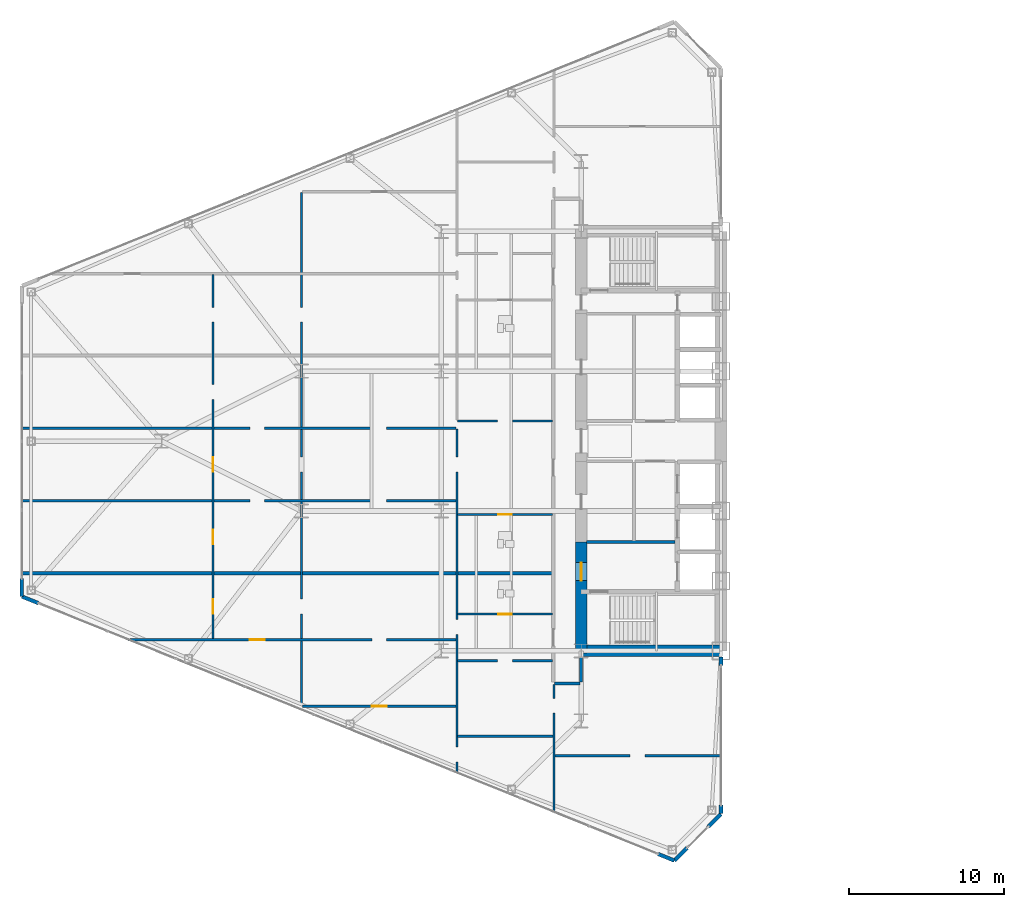
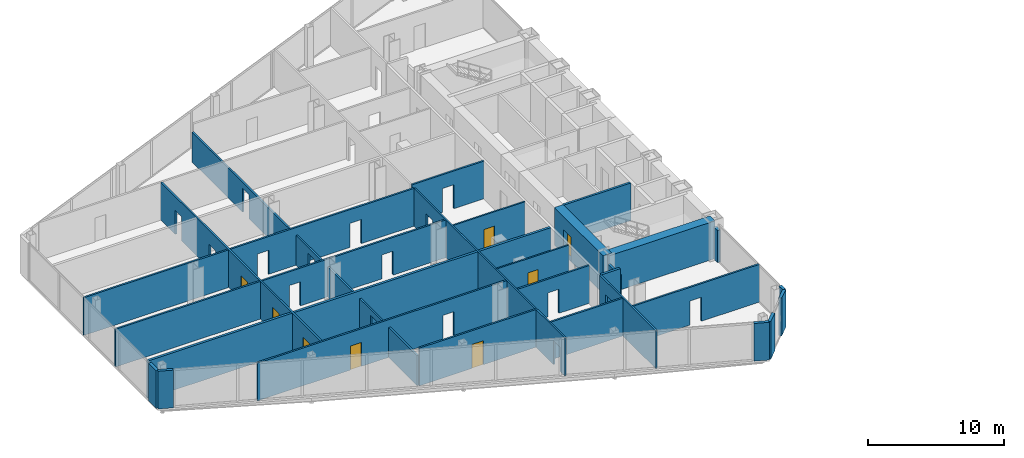
# One storey, part 17 of 25: 27 walls, 8 doors, 25 openings.
"""IFC4 building model written with IfcOpenShell, lengths in metres."""

from ifc_helpers import new_model, si_unit, direction, frame, frame_2d, origin, place, context, subcontext, project, spatial, rectangle, extrude, source, transform, mapped, material, layer, layer_set, type_object, type_shapes, element, fill, save


model = new_model("IFC4")

# Units and contexts
model_context = context("Model", 3, precision=1e-05, world=origin(), true_north=direction((0.0, 1.0)))
body_context = subcontext(model_context, "Body", "Model", "MODEL_VIEW")
ifc_project = project(units=[si_unit("LENGTHUNIT", "METRE"), si_unit("AREAUNIT", "SQUARE_METRE"), si_unit("VOLUMEUNIT", "CUBIC_METRE"), si_unit("PLANEANGLEUNIT", "RADIAN"), si_unit("MASSUNIT", "GRAM", prefix="KILO")], contexts=[model_context])

# Site, building, storey
site_placement = place(None, origin())
site = spatial("IfcSite", under=ifc_project, at=site_placement, CompositionType="ELEMENT")
building_placement = place(site_placement, origin())
building = spatial("IfcBuilding", under=site, at=building_placement, Name="Seokmaru Belvedere", CompositionType="ELEMENT")
storey_placement = place(building_placement, frame((0.0, 0.0, 44.10009765625)))
storey = spatial("IfcBuildingStorey", under=building, at=storey_placement, Name="L11", CompositionType="ELEMENT", Elevation=44.10009765625)

# Wall, opening
ifc_material_1 = material(Name="Fire-Rated Gypsum Shaftwall")
ifc_layer_1 = layer(ifc_material_1, 0.14990234375)
ifc_layer_set_1 = layer_set([ifc_layer_1], Name="Fire-Rated Gypsum Shaftwall")
wall_type_1 = type_object("IfcWallType", Name="Apartment Fire-Acoustic Room Partition 150", PredefinedType="PARTITIONING", material=ifc_layer_set_1)
wall_1_placement = place(storey_placement, frame((-38.199951171875, -20.25, 0.0), z_axis=(0.0, 0.0, 1.0), x_axis=(1.0, 0.0, 0.0)))
wall_1 = element("IfcWall", 1, at=wall_1_placement, inside=storey, type_object=wall_type_1, Name="L11 Interior Partition 001", PredefinedType="PARTITIONING", context=body_context, shape_type="SweptSolid", body=[
    extrude(rectangle(XDim=10.73486328125, YDim=0.14990234375, at=frame_2d((5.367431640625, 0.0))), origin(), (0.0, 0.0, 1.0), 3.3798828125),
])
opening_1_placement = place(wall_1_placement, frame((4.85009765625, 0.0, 0.0)))
element("IfcOpeningElement", 2, at=opening_1_placement, cuts=wall_1, Name="L11 Cased Opening 012", PredefinedType="OPENING", context=body_context, shape_type="SweptSolid", body=[
    extrude(rectangle(XDim=0.949951171875, YDim=2.14990234375, at=frame_2d((0.47509765625, 1.074951171875))), frame((0.0, 0.0849609375, 0.0), z_axis=(0.0, -1.0, 0.0), x_axis=(1.0, 0.0, 0.0)), (0.0, 0.0, 1.0), 0.169921875),
])

# Wall
wall_2_placement = place(storey_placement, frame((-44.449951171875, -19.0, 0.0), z_axis=(0.0, 0.0, 1.0), x_axis=(1.0, 0.0, 0.0)))
element("IfcWall", 3, at=wall_2_placement, inside=storey, type_object=wall_type_1, Name="L11 Interior Partition 002", PredefinedType="PARTITIONING", context=body_context, shape_type="SweptSolid", body=[
    extrude(rectangle(XDim=6.14990234375, YDim=0.14990234375, at=frame_2d((3.074951171875, 0.0))), origin(), (0.0, 0.0, 1.0), 3.3798828125),
])

# Wall, opening, door
wall_3_placement = place(storey_placement, frame((-54.449951171875, -17.06005859375, 0.0), z_axis=(0.0, 0.0, 1.0), x_axis=(1.0, 0.0, 0.0)))
wall_3 = element("IfcWall", 4, at=wall_3_placement, inside=storey, type_object=wall_type_1, Name="L11 Interior Partition 003", PredefinedType="PARTITIONING", context=body_context, shape_type="SweptSolid", body=[
    extrude(rectangle(XDim=9.89990234375, YDim=0.14990234375, at=frame_2d((4.949951171875, 0.0))), origin(), (0.0, 0.0, 1.0), 3.3798828125),
])
opening_2_placement = place(wall_3_placement, frame((4.47509765625, 0.0, 0.0)))
opening_2 = element("IfcOpeningElement", 5, at=opening_2_placement, cuts=wall_3, Name="Opening D05", PredefinedType="OPENING", context=body_context, shape_type="SweptSolid", body=[
    extrude(rectangle(XDim=0.949951171875, YDim=2.14990234375, at=frame_2d((0.47509765625, 1.074951171875))), frame((0.0, 0.0849609375, 0.0), z_axis=(0.0, -1.0, 0.0), x_axis=(1.0, 0.0, 0.0)), (0.0, 0.0, 1.0), 0.169921875),
])
ifc_material_2 = material(Name="Engineered White Oak Timber", Category="wood")
door_type_1 = type_object("IfcDoorType", Name="Apartment Interior Fire-Rated Oak Door 950x2150", OperationType="NOTDEFINED", PredefinedType="DOOR", material=ifc_material_2)
shared_shape_1 = source(origin(), body_context, "Body", "SweptSolid", [
    extrude(rectangle(XDim=0.949951171875, YDim=2.14990234375, at=frame_2d((0.47509765625, 1.074951171875))), frame((0.0, 0.02490234375, 0.0), z_axis=(0.0, -1.0, 0.0), x_axis=(1.0, 0.0, 0.0)), (0.0, 0.0, 1.0), 0.050048828125),
])
type_shapes(door_type_1, [shared_shape_1])
door_1_placement = place(opening_2_placement, origin())
door_1 = element("IfcDoor", 6, at=door_1_placement, inside=storey, type_object=door_type_1, Name="L11 Interior Door 009", OperationType="SINGLE_SWING_RIGHT", OverallHeight=2.14990234375, OverallWidth=0.949951171875, PredefinedType="DOOR", context=body_context, shape_type="MappedRepresentation", body=[
    mapped(shared_shape_1, transform((0.0, 0.0, 0.0), scale=1.0)),
])
fill(opening_2, door_1)

# Wall, opening
wall_4_placement = place(storey_placement, frame((-44.449951171875, -14.139892578125, 0.0), z_axis=(0.0, 0.0, 1.0), x_axis=(1.0, 0.0, 0.0)))
wall_4 = element("IfcWall", 7, at=wall_4_placement, inside=storey, type_object=wall_type_1, Name="L11 Interior Partition 006", PredefinedType="PARTITIONING", context=body_context, shape_type="SweptSolid", body=[
    extrude(rectangle(XDim=6.099853515625, YDim=0.14990234375, at=frame_2d((3.0498046875, 0.0))), origin(), (0.0, 0.0, 1.0), 3.3798828125),
])
opening_3_placement = place(wall_4_placement, frame((2.574951171875, 0.0, 0.0)))
element("IfcOpeningElement", 8, at=opening_3_placement, cuts=wall_4, Name="L11 Cased Opening 003", PredefinedType="OPENING", context=body_context, shape_type="SweptSolid", body=[
    extrude(rectangle(XDim=0.949951171875, YDim=2.14990234375, at=frame_2d((0.47509765625, 1.074951171875))), frame((0.0, 0.0849609375, 0.0), z_axis=(0.0, -1.0, 0.0), x_axis=(1.0, 0.0, 0.0)), (0.0, 0.0, 1.0), 0.169921875),
])

# Wall, openings, door
wall_5_placement = place(storey_placement, frame((-65.672119140625, -12.780029296875, 0.0), z_axis=(0.0, 0.0, 1.0), x_axis=(1.0, 0.0, 0.0)))
wall_5 = element("IfcWall", 9, at=wall_5_placement, inside=storey, type_object=wall_type_1, Name="L11 Interior Partition 007", PredefinedType="PARTITIONING", context=body_context, shape_type="SweptSolid", body=[
    extrude(rectangle(XDim=21.1220703125, YDim=0.14990234375, at=frame_2d((10.56103515625, 0.0))), origin(), (0.0, 0.0, 1.0), 3.3798828125),
])
opening_4_placement = place(wall_5_placement, frame((15.697021484375, 0.0, 0.0)))
element("IfcOpeningElement", 10, at=opening_4_placement, cuts=wall_5, Name="L11 Cased Opening 006", PredefinedType="OPENING", context=body_context, shape_type="SweptSolid", body=[
    extrude(rectangle(XDim=0.949951171875, YDim=2.14990234375, at=frame_2d((0.47509765625, 1.074951171875))), frame((0.0, 0.0849609375, 0.0), z_axis=(0.0, -1.0, 0.0), x_axis=(1.0, 0.0, 0.0)), (0.0, 0.0, 1.0), 0.169921875),
])
opening_5_placement = place(wall_5_placement, frame((7.846923828125, 0.0, 0.0)))
opening_5 = element("IfcOpeningElement", 11, at=opening_5_placement, cuts=wall_5, Name="Opening D05", PredefinedType="OPENING", context=body_context, shape_type="SweptSolid", body=[
    extrude(rectangle(XDim=0.949951171875, YDim=2.14990234375, at=frame_2d((0.47509765625, 1.074951171875))), frame((0.0, 0.0849609375, 0.0), z_axis=(0.0, -1.0, 0.0), x_axis=(1.0, 0.0, 0.0)), (0.0, 0.0, 1.0), 0.169921875),
])
door_2_placement = place(opening_5_placement, origin())
door_2 = element("IfcDoor", 12, at=door_2_placement, inside=storey, type_object=door_type_1, Name="L11 Interior Door 007", OperationType="SINGLE_SWING_LEFT", OverallHeight=2.14990234375, OverallWidth=0.949951171875, PredefinedType="DOOR", context=body_context, shape_type="MappedRepresentation", body=[
    mapped(shared_shape_1, transform((0.0, 0.0, 0.0), scale=1.0)),
])
fill(opening_5, door_2)

# Wall, openings
wall_6_placement = place(storey_placement, frame((-72.534912109375, -3.830078125, 0.0), z_axis=(0.0, 0.0, 1.0), x_axis=(1.0, 0.0, 0.0)))
wall_6 = element("IfcWall", 13, at=wall_6_placement, inside=storey, type_object=wall_type_1, Name="L11 Interior Partition 014", PredefinedType="PARTITIONING", context=body_context, shape_type="SweptSolid", body=[
    extrude(rectangle(XDim=27.98486328125, YDim=0.14990234375, at=frame_2d((13.992431640625, 0.0))), origin(), (0.0, 0.0, 1.0), 3.3798828125),
])
opening_6_placement = place(wall_6_placement, frame((22.56005859375, 0.0, 0.0)))
element("IfcOpeningElement", 14, at=opening_6_placement, cuts=wall_6, Name="L11 Cased Opening 018", PredefinedType="OPENING", context=body_context, shape_type="SweptSolid", body=[
    extrude(rectangle(XDim=0.949951171875, YDim=2.14990234375, at=frame_2d((0.47509765625, 1.074951171875))), frame((0.0, 0.0849609375, 0.0), z_axis=(0.0, -1.0, 0.0), x_axis=(1.0, 0.0, 0.0)), (0.0, 0.0, 1.0), 0.169921875),
])
opening_7_placement = place(wall_6_placement, frame((14.7099609375, 0.0, 0.0)))
element("IfcOpeningElement", 15, at=opening_7_placement, cuts=wall_6, Name="L11 Cased Opening 020", PredefinedType="OPENING", context=body_context, shape_type="SweptSolid", body=[
    extrude(rectangle(XDim=0.949951171875, YDim=2.14990234375, at=frame_2d((0.47509765625, 1.074951171875))), frame((0.0, 0.0849609375, 0.0), z_axis=(0.0, -1.0, 0.0), x_axis=(1.0, 0.0, 0.0)), (0.0, 0.0, 1.0), 0.169921875),
])

wall_7_placement = place(storey_placement, frame((-72.534912109375, 0.830078125, 0.0), z_axis=(0.0, 0.0, 1.0), x_axis=(1.0, 0.0, 0.0)))
wall_7 = element("IfcWall", 16, at=wall_7_placement, inside=storey, type_object=wall_type_1, Name="L11 Interior Partition 017", PredefinedType="PARTITIONING", context=body_context, shape_type="SweptSolid", body=[
    extrude(rectangle(XDim=27.98486328125, YDim=0.14990234375, at=frame_2d((13.992431640625, 0.0))), origin(), (0.0, 0.0, 1.0), 3.3798828125),
])
opening_8_placement = place(wall_7_placement, frame((22.56005859375, 0.0, 0.0)))
element("IfcOpeningElement", 17, at=opening_8_placement, cuts=wall_7, Name="L11 Cased Opening 019", PredefinedType="OPENING", context=body_context, shape_type="SweptSolid", body=[
    extrude(rectangle(XDim=0.949951171875, YDim=2.14990234375, at=frame_2d((0.47509765625, 1.074951171875))), frame((0.0, 0.0849609375, 0.0), z_axis=(0.0, -1.0, 0.0), x_axis=(1.0, 0.0, 0.0)), (0.0, 0.0, 1.0), 0.169921875),
])
opening_9_placement = place(wall_7_placement, frame((14.7099609375, 0.0, 0.0)))
element("IfcOpeningElement", 18, at=opening_9_placement, cuts=wall_7, Name="L11 Cased Opening 023", PredefinedType="OPENING", context=body_context, shape_type="SweptSolid", body=[
    extrude(rectangle(XDim=0.949951171875, YDim=2.14990234375, at=frame_2d((0.47509765625, 1.074951171875))), frame((0.0, 0.0849609375, 0.0), z_axis=(0.0, -1.0, 0.0), x_axis=(1.0, 0.0, 0.0)), (0.0, 0.0, 1.0), 0.169921875),
])

# Wall, opening
wall_8_placement = place(storey_placement, frame((-44.449951171875, 1.300048828125, 0.0), z_axis=(0.0, 0.0, 1.0), x_axis=(1.0, 0.0, 0.0)))
wall_8 = element("IfcWall", 19, at=wall_8_placement, inside=storey, type_object=wall_type_1, Name="L11 Interior Partition 018", PredefinedType="PARTITIONING", context=body_context, shape_type="SweptSolid", body=[
    extrude(rectangle(XDim=6.099853515625, YDim=0.14990234375, at=frame_2d((3.0498046875, 0.0))), origin(), (0.0, 0.0, 1.0), 3.3798828125),
])
opening_10_placement = place(wall_8_placement, frame((2.574951171875, 0.0, 0.0)))
element("IfcOpeningElement", 20, at=opening_10_placement, cuts=wall_8, Name="L11 Cased Opening 015", PredefinedType="OPENING", context=body_context, shape_type="SweptSolid", body=[
    extrude(rectangle(XDim=0.949951171875, YDim=2.14990234375, at=frame_2d((0.47509765625, 1.074951171875))), frame((0.0, 0.0849609375, 0.0), z_axis=(0.0, -1.0, 0.0), x_axis=(1.0, 0.0, 0.0)), (0.0, 0.0, 1.0), 0.169921875),
])

# Wall, openings, doors
wall_9_placement = place(storey_placement, frame((-60.199951171875, -12.72802734375, 0.0), z_axis=(0.0, 0.0, 1.0), x_axis=(0.0, 1.0, 0.0)))
wall_9 = element("IfcWall", 21, at=wall_9_placement, inside=storey, type_object=wall_type_1, Name="L11 Interior Partition 034", PredefinedType="PARTITIONING", context=body_context, shape_type="SweptSolid", body=[
    extrude(rectangle(XDim=23.4560546875, YDim=0.14990234375, at=frame_2d((11.72802734375, 0.0))), origin(), (0.0, 0.0, 1.0), 3.3798828125),
])
opening_11_placement = place(wall_9_placement, frame((1.614013671875, 0.0, 0.0)))
opening_11 = element("IfcOpeningElement", 22, at=opening_11_placement, cuts=wall_9, Name="Opening D05", PredefinedType="OPENING", context=body_context, shape_type="SweptSolid", body=[
    extrude(rectangle(XDim=0.949951171875, YDim=2.14990234375, at=frame_2d((0.47509765625, 1.074951171875))), frame((0.0, 0.0849609375, 0.0), z_axis=(0.0, -1.0, 0.0), x_axis=(1.0, 0.0, 0.0)), (0.0, 0.0, 1.0), 0.169921875),
])
opening_12_placement = place(wall_9_placement, frame((6.08642578125, 0.0, 0.0)))
opening_12 = element("IfcOpeningElement", 23, at=opening_12_placement, cuts=wall_9, Name="Opening D05", PredefinedType="OPENING", context=body_context, shape_type="SweptSolid", body=[
    extrude(rectangle(XDim=0.949951171875, YDim=2.14990234375, at=frame_2d((0.47509765625, 1.074951171875))), frame((0.0, 0.0849609375, 0.0), z_axis=(0.0, -1.0, 0.0), x_axis=(1.0, 0.0, 0.0)), (0.0, 0.0, 1.0), 0.169921875),
])
opening_13_placement = place(wall_9_placement, frame((10.7529296875, 0.0, 0.0)))
opening_13 = element("IfcOpeningElement", 24, at=opening_13_placement, cuts=wall_9, Name="Opening D05", PredefinedType="OPENING", context=body_context, shape_type="SweptSolid", body=[
    extrude(rectangle(XDim=0.949951171875, YDim=2.14990234375, at=frame_2d((0.47509765625, 1.074951171875))), frame((0.0, 0.0849609375, 0.0), z_axis=(0.0, -1.0, 0.0), x_axis=(1.0, 0.0, 0.0)), (0.0, 0.0, 1.0), 0.169921875),
])
opening_14_placement = place(wall_9_placement, frame((15.419677734375, 0.0, 0.0)))
element("IfcOpeningElement", 25, at=opening_14_placement, cuts=wall_9, Name="L11 Cased Opening 024", PredefinedType="OPENING", context=body_context, shape_type="SweptSolid", body=[
    extrude(rectangle(XDim=0.949951171875, YDim=2.14990234375, at=frame_2d((0.47509765625, 1.074951171875))), frame((0.0, 0.0849609375, 0.0), z_axis=(0.0, -1.0, 0.0), x_axis=(1.0, 0.0, 0.0)), (0.0, 0.0, 1.0), 0.169921875),
])
opening_15_placement = place(wall_9_placement, frame((20.391845703125, 0.0, 0.0)))
element("IfcOpeningElement", 26, at=opening_15_placement, cuts=wall_9, Name="L11 Cased Opening 031", PredefinedType="OPENING", context=body_context, shape_type="SweptSolid", body=[
    extrude(rectangle(XDim=0.949951171875, YDim=2.14990234375, at=frame_2d((0.47509765625, 1.074951171875))), frame((0.0, 0.0849609375, 0.0), z_axis=(0.0, -1.0, 0.0), x_axis=(1.0, 0.0, 0.0)), (0.0, 0.0, 1.0), 0.169921875),
])
door_3_placement = place(opening_11_placement, origin())
door_3 = element("IfcDoor", 27, at=door_3_placement, inside=storey, type_object=door_type_1, Name="L11 Interior Door 008", OperationType="SINGLE_SWING_RIGHT", OverallHeight=2.14990234375, OverallWidth=0.949951171875, PredefinedType="DOOR", context=body_context, shape_type="MappedRepresentation", body=[
    mapped(shared_shape_1, transform((0.0, 0.0, 0.0), scale=1.0)),
])
fill(opening_11, door_3)
door_4_placement = place(opening_12_placement, origin())
door_4 = element("IfcDoor", 28, at=door_4_placement, inside=storey, type_object=door_type_1, Name="L11 Interior Door 021", OperationType="SINGLE_SWING_RIGHT", OverallHeight=2.14990234375, OverallWidth=0.949951171875, PredefinedType="DOOR", context=body_context, shape_type="MappedRepresentation", body=[
    mapped(shared_shape_1, transform((0.0, 0.0, 0.0), scale=1.0)),
])
fill(opening_12, door_4)
door_5_placement = place(opening_13_placement, origin())
door_5 = element("IfcDoor", 29, at=door_5_placement, inside=storey, type_object=door_type_1, Name="L11 Interior Door 022", OperationType="SINGLE_SWING_RIGHT", OverallHeight=2.14990234375, OverallWidth=0.949951171875, PredefinedType="DOOR", context=body_context, shape_type="MappedRepresentation", body=[
    mapped(shared_shape_1, transform((0.0, 0.0, 0.0), scale=1.0)),
])
fill(opening_13, door_5)

# Wall, openings
wall_10_placement = place(storey_placement, frame((-54.5, -17.006103515625, 0.0), z_axis=(0.0, 0.0, 1.0), x_axis=(0.0, 1.0, 0.0)))
wall_10 = element("IfcWall", 30, at=wall_10_placement, inside=storey, type_object=wall_type_1, Name="L11 Interior Partition 035", PredefinedType="PARTITIONING", context=body_context, shape_type="SweptSolid", body=[
    extrude(rectangle(XDim=33.01220703125, YDim=0.14990234375, at=frame_2d((16.506103515625, 0.0))), origin(), (0.0, 0.0, 1.0), 2.679931640625),
])
opening_16_placement = place(wall_10_placement, frame((5.89208984375, 0.0, 0.0)))
element("IfcOpeningElement", 31, at=opening_16_placement, cuts=wall_10, Name="L11 Cased Opening 005", PredefinedType="OPENING", context=body_context, shape_type="SweptSolid", body=[
    extrude(rectangle(XDim=0.949951171875, YDim=2.14990234375, at=frame_2d((0.47509765625, 1.074951171875))), frame((0.0, 0.0849609375, 0.0), z_axis=(0.0, -1.0, 0.0), x_axis=(1.0, 0.0, 0.0)), (0.0, 0.0, 1.0), 0.169921875),
])
opening_17_placement = place(wall_10_placement, frame((15.031005859375, 0.0, 0.0)))
element("IfcOpeningElement", 32, at=opening_17_placement, cuts=wall_10, Name="L11 Cased Opening 017", PredefinedType="OPENING", context=body_context, shape_type="SweptSolid", body=[
    extrude(rectangle(XDim=0.949951171875, YDim=2.14990234375, at=frame_2d((0.47509765625, 1.074951171875))), frame((0.0, 0.0849609375, 0.0), z_axis=(0.0, -1.0, 0.0), x_axis=(1.0, 0.0, 0.0)), (0.0, 0.0, 1.0), 0.169921875),
])
opening_18_placement = place(wall_10_placement, frame((24.669921875, 0.0, 0.0)))
element("IfcOpeningElement", 33, at=opening_18_placement, cuts=wall_10, Name="L11 Cased Opening 030", PredefinedType="OPENING", context=body_context, shape_type="SweptSolid", body=[
    extrude(rectangle(XDim=0.949951171875, YDim=2.14990234375, at=frame_2d((0.47509765625, 1.074951171875))), frame((0.0, 0.0849609375, 0.0), z_axis=(0.0, -1.0, 0.0), x_axis=(1.0, 0.0, 0.0)), (0.0, 0.0, 1.0), 0.169921875),
])

# Wall, opening
wall_11_placement = place(storey_placement, frame((-38.25, -23.89794921875, 0.0), z_axis=(0.0, 0.0, 1.0), x_axis=(0.0, 1.0, 0.0)))
wall_11 = element("IfcWall", 34, at=wall_11_placement, inside=storey, type_object=wall_type_1, Name="L11 Interior Partition 039", PredefinedType="PARTITIONING", context=body_context, shape_type="SweptSolid", body=[
    extrude(rectangle(XDim=8.248046875, YDim=0.14990234375, at=frame_2d((4.1240234375, 0.0))), origin(), (0.0, 0.0, 1.0), 3.3798828125),
])
opening_19_placement = place(wall_11_placement, frame((6.390869140625, 0.0, 0.0)))
element("IfcOpeningElement", 35, at=opening_19_placement, cuts=wall_11, Name="L11 Cased Opening 011", PredefinedType="OPENING", context=body_context, shape_type="SweptSolid", body=[
    extrude(rectangle(XDim=0.949951171875, YDim=2.14990234375, at=frame_2d((0.47509765625, 1.074951171875))), frame((0.0, 0.0849609375, 0.0), z_axis=(0.0, -1.0, 0.0), x_axis=(1.0, 0.0, 0.0)), (0.0, 0.0, 1.0), 0.169921875),
])

# Walls
ifc_layer_2 = layer(ifc_material_1, 0.179931640625)
ifc_layer_set_2 = layer_set([ifc_layer_2], Name="Fire-Rated Gypsum Shaftwall")
wall_type_2 = type_object("IfcWallType", Name="Core Service Fire Partition 180", PredefinedType="PARTITIONING", material=ifc_layer_set_2)
wall_12_placement = place(storey_placement, frame((-36.14990234375, -6.5, 0.0), z_axis=(0.0, 0.0, 1.0), x_axis=(1.0, 0.0, 0.0)))
element("IfcWall", 36, at=wall_12_placement, inside=storey, type_object=wall_type_2, Name="L11 West Firefighting Lobby Partition", PredefinedType="PARTITIONING", context=body_context, shape_type="SweptSolid", body=[
    extrude(rectangle(XDim=5.699951171875, YDim=0.179931640625, at=frame_2d((2.85009765625, 0.0))), origin(), (0.0, 0.0, 1.0), 3.3798828125),
])
ifc_layer_3 = layer(ifc_material_1, 0.199951171875)
ifc_layer_set_3 = layer_set([ifc_layer_3], Name="Fire-Rated Gypsum Shaftwall")
wall_type_3 = type_object("IfcWallType", Name="Inter-Tenancy Fire Compartment Partition 200", PredefinedType="PARTITIONING", material=ifc_layer_set_3)
wall_13_placement = place(storey_placement, frame((-38.215087890625, -15.60009765625, 0.0), z_axis=(0.0, 0.0, 1.0), x_axis=(1.0, 0.0, 0.0)))
element("IfcWall", 37, at=wall_13_placement, inside=storey, type_object=wall_type_3, Name="L11 Interior Partition 004", PredefinedType="PARTITIONING", context=body_context, shape_type="SweptSolid", body=[
    extrude(rectangle(XDim=1.630126953125, YDim=0.199951171875, at=frame_2d((0.81494140625, 0.0))), origin(), (0.0, 0.0, 1.0), 3.3798828125),
])
wall_14_placement = place(storey_placement, frame((-72.5048828125, -8.5, 0.0), z_axis=(0.0, 0.0, 1.0), x_axis=(1.0, 0.0, 0.0)))
element("IfcWall", 38, at=wall_14_placement, inside=storey, type_object=wall_type_3, Name="L11 Interior Partition 011", PredefinedType="PARTITIONING", context=body_context, shape_type="SweptSolid", body=[
    extrude(rectangle(XDim=34.125, YDim=0.199951171875, at=frame_2d((17.0625, 0.0))), origin(), (0.0, 0.0, 1.0), 3.3798828125),
])
wall_15_placement = place(storey_placement, frame((-36.5, -15.514892578125, 0.0), z_axis=(0.0, 0.0, 1.0), x_axis=(0.0, 1.0, 0.0)))
element("IfcWall", 39, at=wall_15_placement, inside=storey, type_object=wall_type_3, Name="L11 Interior Partition 041", PredefinedType="PARTITIONING", context=body_context, shape_type="SweptSolid", body=[
    extrude(rectangle(XDim=1.635009765625, YDim=0.199951171875, at=frame_2d((0.8173828125, 0.0))), origin(), (0.0, 0.0, 1.0), 2.679931640625),
])
ifc_material_3 = material(Name="Concrete C60 (60 MPa)", Category="concrete")
ifc_layer_4 = layer(ifc_material_3, 0.75)
ifc_layer_set_4 = layer_set([ifc_layer_4], Name="Concrete C60 (60 MPa)")
wall_type_4 = type_object("IfcWallType", Name="Lower Tower Reinforced Concrete Core Wall 750", PredefinedType="SHEAR", material=ifc_layer_set_4)
wall_16_placement = place(storey_placement, frame((-36.5, -13.5, 0.0), z_axis=(0.0, 0.0, 1.0), x_axis=(1.0, 0.0, 0.0)))
element("IfcWall", 40, at=wall_16_placement, inside=storey, type_object=wall_type_4, Name="L11 West South Core Wall", PredefinedType="SHEAR", context=body_context, shape_type="SweptSolid", body=[
    extrude(rectangle(XDim=9.0, YDim=0.75, at=frame_2d((4.5, 0.0))), origin(), (0.0, 0.0, 1.0), 3.3798828125),
])

# Wall, opening, door
wall_17_placement = place(storey_placement, frame((-36.5, -13.64990234375, 0.0), z_axis=(0.0, 0.0, 1.0), x_axis=(0.0, 1.0, 0.0)))
wall_17 = element("IfcWall", 41, at=wall_17_placement, inside=storey, type_object=wall_type_4, Name="L11 West West Core Wall FF", PredefinedType="SHEAR", context=body_context, shape_type="SweptSolid", body=[
    extrude(rectangle(XDim=7.14990234375, YDim=0.75, at=frame_2d((3.574951171875, 0.0))), origin(), (0.0, 0.0, 1.0), 3.3798828125),
])
opening_20_placement = place(wall_17_placement, frame((4.675048828125, 0.0, 0.0)))
opening_20 = element("IfcOpeningElement", 42, at=opening_20_placement, cuts=wall_17, Name="Opening D02", PredefinedType="OPENING", context=body_context, shape_type="SweptSolid", body=[
    extrude(rectangle(XDim=1.14990234375, YDim=2.199951171875, at=frame_2d((0.574951171875, 1.10009765625))), frame((0.0, 0.385009765625, 0.0), z_axis=(0.0, -1.0, 0.0), x_axis=(1.0, 0.0, 0.0)), (0.0, 0.0, 1.0), 0.77001953125),
])
ifc_material_4 = material(Name="Fire-Rated Steel Leaf", Category="steel")
door_type_2 = type_object("IfcDoorType", Name="Lobby and Vestibule Fire Door 1150x2200", OperationType="NOTDEFINED", PredefinedType="DOOR", material=ifc_material_4)
shared_shape_2 = source(origin(), body_context, "Body", "SweptSolid", [
    extrude(rectangle(XDim=1.14990234375, YDim=2.199951171875, at=frame_2d((0.574951171875, 1.10009765625))), frame((0.0, 0.02490234375, 0.0), z_axis=(0.0, -1.0, 0.0), x_axis=(1.0, 0.0, 0.0)), (0.0, 0.0, 1.0), 0.050048828125),
])
type_shapes(door_type_2, [shared_shape_2])
door_6_placement = place(opening_20_placement, frame((1.14990234375, 0.0, 0.0), z_axis=(0.0, 0.0, 1.0), x_axis=(-1.0, 0.0, 0.0)))
door_6 = element("IfcDoor", 43, at=door_6_placement, inside=storey, type_object=door_type_2, Name="L11 West Firefighting Lobby Door", OperationType="SINGLE_SWING_LEFT", OverallHeight=2.199951171875, OverallWidth=1.14990234375, PredefinedType="DOOR", context=body_context, shape_type="MappedRepresentation", body=[
    mapped(shared_shape_2, transform((0.0, 0.0, 0.0), scale=1.0)),
])
fill(opening_20, door_6)

ifc_layer_5 = layer(ifc_material_1, 0.1298828125)
ifc_layer_set_5 = layer_set([ifc_layer_5], Name="Fire-Rated Gypsum Shaftwall")
wall_type_5 = type_object("IfcWallType", Name="Moisture-Resistant Fire-Rated Bathroom Partition 130", PredefinedType="PARTITIONING", material=ifc_layer_set_5)
wall_18_placement = place(storey_placement, frame((-44.449951171875, -11.139892578125, 0.0), z_axis=(0.0, 0.0, 1.0), x_axis=(1.0, 0.0, 0.0)))
wall_18 = element("IfcWall", 44, at=wall_18_placement, inside=storey, type_object=wall_type_5, Name="L11 Interior Partition 009", PredefinedType="PARTITIONING", context=body_context, shape_type="SweptSolid", body=[
    extrude(rectangle(XDim=6.099853515625, YDim=0.1298828125, at=frame_2d((3.0498046875, 0.0))), origin(), (0.0, 0.0, 1.0), 3.3798828125),
])
opening_21_placement = place(wall_18_placement, frame((2.610107421875, 0.0, 0.0)))
opening_21 = element("IfcOpeningElement", 45, at=opening_21_placement, cuts=wall_18, Name="Opening D06", PredefinedType="OPENING", context=body_context, shape_type="SweptSolid", body=[
    extrude(rectangle(XDim=0.8798828125, YDim=2.10009765625, at=frame_2d((0.43994140625, 1.050048828125))), frame((0.0, 0.074951171875, 0.0), z_axis=(0.0, -1.0, 0.0), x_axis=(1.0, 0.0, 0.0)), (0.0, 0.0, 1.0), 0.14990234375),
])
door_type_3 = type_object("IfcDoorType", Name="Bathroom and Restroom Fire-Rated Door 880x2100", OperationType="NOTDEFINED", PredefinedType="DOOR", material=ifc_material_2)
shared_shape_3 = source(origin(), body_context, "Body", "SweptSolid", [
    extrude(rectangle(XDim=0.8798828125, YDim=2.10009765625, at=frame_2d((0.43994140625, 1.050048828125))), frame((0.0, 0.02490234375, 0.0), z_axis=(0.0, -1.0, 0.0), x_axis=(1.0, 0.0, 0.0)), (0.0, 0.0, 1.0), 0.050048828125),
])
type_shapes(door_type_3, [shared_shape_3])
door_7_placement = place(opening_21_placement, origin())
door_7 = element("IfcDoor", 46, at=door_7_placement, inside=storey, type_object=door_type_3, Name="L11 Interior Door 002", OperationType="SINGLE_SWING_LEFT", OverallHeight=2.10009765625, OverallWidth=0.8798828125, PredefinedType="DOOR", context=body_context, shape_type="MappedRepresentation", body=[
    mapped(shared_shape_3, transform((0.0, 0.0, 0.0), scale=1.0)),
])
fill(opening_21, door_7)

wall_19_placement = place(storey_placement, frame((-44.449951171875, -4.719970703125, 0.0), z_axis=(0.0, 0.0, 1.0), x_axis=(1.0, 0.0, 0.0)))
wall_19 = element("IfcWall", 47, at=wall_19_placement, inside=storey, type_object=wall_type_5, Name="L11 Interior Partition 013", PredefinedType="PARTITIONING", context=body_context, shape_type="SweptSolid", body=[
    extrude(rectangle(XDim=6.099853515625, YDim=0.1298828125, at=frame_2d((3.0498046875, 0.0))), origin(), (0.0, 0.0, 1.0), 3.3798828125),
])
opening_22_placement = place(wall_19_placement, frame((2.610107421875, 0.0, 0.0)))
opening_22 = element("IfcOpeningElement", 48, at=opening_22_placement, cuts=wall_19, Name="Opening D06", PredefinedType="OPENING", context=body_context, shape_type="SweptSolid", body=[
    extrude(rectangle(XDim=0.8798828125, YDim=2.10009765625, at=frame_2d((0.43994140625, 1.050048828125))), frame((0.0, 0.074951171875, 0.0), z_axis=(0.0, -1.0, 0.0), x_axis=(1.0, 0.0, 0.0)), (0.0, 0.0, 1.0), 0.14990234375),
])
door_8_placement = place(opening_22_placement, origin())
door_8 = element("IfcDoor", 49, at=door_8_placement, inside=storey, type_object=door_type_3, Name="L11 Interior Door 014", OperationType="SINGLE_SWING_LEFT", OverallHeight=2.10009765625, OverallWidth=0.8798828125, PredefinedType="DOOR", context=body_context, shape_type="MappedRepresentation", body=[
    mapped(shared_shape_3, transform((0.0, 0.0, 0.0), scale=1.0)),
])
fill(opening_22, door_8)

# Wall, openings
wall_20_placement = place(storey_placement, frame((-44.5, -21.367919921875, 0.0), z_axis=(0.0, 0.0, 1.0), x_axis=(0.0, 1.0, 0.0)))
wall_20 = element("IfcWall", 50, at=wall_20_placement, inside=storey, type_object=wall_type_5, Name="L11 Interior Partition 036", PredefinedType="PARTITIONING", context=body_context, shape_type="SweptSolid", body=[
    extrude(rectangle(XDim=22.15087890625, YDim=0.1298828125, at=frame_2d((11.075439453125, 0.0))), origin(), (0.0, 0.0, 1.0), 3.3798828125),
])
opening_23_placement = place(wall_20_placement, frame((8.931640625, 0.0, 0.0)))
element("IfcOpeningElement", 51, at=opening_23_placement, cuts=wall_20, Name="L11 Cased Opening 004", PredefinedType="OPENING", context=body_context, shape_type="SweptSolid", body=[
    extrude(rectangle(XDim=0.949951171875, YDim=2.14990234375, at=frame_2d((0.47509765625, 1.074951171875))), frame((0.0, 0.074951171875, 0.0), z_axis=(0.0, -1.0, 0.0), x_axis=(1.0, 0.0, 0.0)), (0.0, 0.0, 1.0), 0.14990234375),
])
opening_24_placement = place(wall_20_placement, frame((0.724365234375, 0.0, 0.0)))
element("IfcOpeningElement", 52, at=opening_24_placement, cuts=wall_20, Name="L11 Cased Opening 010", PredefinedType="OPENING", context=body_context, shape_type="SweptSolid", body=[
    extrude(rectangle(XDim=0.949951171875, YDim=2.14990234375, at=frame_2d((0.47509765625, 1.074951171875))), frame((0.0, 0.074951171875, 0.0), z_axis=(0.0, -1.0, 0.0), x_axis=(1.0, 0.0, 0.0)), (0.0, 0.0, 1.0), 0.14990234375),
])
opening_25_placement = place(wall_20_placement, frame((19.39306640625, 0.0, 0.0)))
element("IfcOpeningElement", 53, at=opening_25_placement, cuts=wall_20, Name="L11 Cased Opening 016", PredefinedType="OPENING", context=body_context, shape_type="SweptSolid", body=[
    extrude(rectangle(XDim=0.949951171875, YDim=2.14990234375, at=frame_2d((0.47509765625, 1.074951171875))), frame((0.0, 0.074951171875, 0.0), z_axis=(0.0, -1.0, 0.0), x_axis=(1.0, 0.0, 0.0)), (0.0, 0.0, 1.0), 0.14990234375),
])

# Walls
ifc_material_5 = material(Name="Anodised Bronze Aluminium", Category="aluminium")
ifc_layer_6 = layer(ifc_material_5, 0.239990234375)
ifc_layer_set_6 = layer_set([ifc_layer_6], Name="Anodised Bronze Aluminium")
wall_type_6 = type_object("IfcWallType", Name="Tower Corner Spandrel Closure Wall 240", PredefinedType="SOLIDWALL", material=ifc_layer_set_6)
wall_21_placement = place(storey_placement, frame((-27.5, -23.97998046875, 0.0), z_axis=(0.0, 0.0, 1.0), x_axis=(0.0, 1.0, 0.0)))
element("IfcWall", 54, at=wall_21_placement, inside=storey, type_object=wall_type_6, Name="L11 W Spine Closure Pier 1A", PredefinedType="SOLIDWALL", context=body_context, shape_type="SweptSolid", body=[
    extrude(rectangle(XDim=0.550048828125, YDim=0.239990234375, at=frame_2d((0.27490234375, 0.0))), origin(), (0.0, 0.0, 1.0), 3.3798828125),
])
wall_22_placement = place(storey_placement, frame((-27.5, -14.429931640625, 0.0), z_axis=(0.0, 0.0, 1.0), x_axis=(0.0, 1.0, 0.0)))
element("IfcWall", 55, at=wall_22_placement, inside=storey, type_object=wall_type_6, Name="L11 W Spine Closure Pier 1B", PredefinedType="SOLIDWALL", context=body_context, shape_type="SweptSolid", body=[
    extrude(rectangle(XDim=0.550048828125, YDim=0.239990234375, at=frame_2d((0.27490234375, 0.0))), origin(), (0.0, 0.0, 1.0), 2.8798828125),
])
for number, where, z_axis, x_axis, name in (
    (56, (-72.5, -8.85009765625, 0.0), (0.0, 0.0, 1.0), (0.0, -1.0, 0.0), "L11 W Corner Closure Pier 4B"),
    (57, (-72.49072265625, -10.00390625, 0.0), (0.0, 0.0, 1.0), (0.927007103665, -0.375043770452, 0.0), "L11 W Corner Closure Pier 5A"),
    (58, (-31.56591796875, -26.568603515625, 0.0), (0.0, 0.0, 1.0), (0.927007103665, -0.375043770452, 0.0), "L11 W Corner Closure Pier 5B"),
):
    element("IfcWall", number, at=place(storey_placement, frame(where, z_axis=z_axis, x_axis=x_axis)), inside=storey, type_object=wall_type_6, Name=name, PredefinedType="SOLIDWALL", context=body_context, shape_type="SweptSolid", body=[
        extrude(rectangle(XDim=1.139892578125, YDim=0.239990234375, at=frame_2d((0.56982421875, 0.0))), origin(), (0.0, 0.0, 1.0), 3.3798828125),
    ])
for number, where, z_axis, x_axis, name in (
    (59, (-30.492919921875, -26.992919921875, 0.0), (0.0, 0.0, 1.0), (0.707106781187, 0.707106781187, 0.0), "L11 W Corner Closure Pier 6A"),
    (60, (-28.313232421875, -24.813232421875, 0.0), (0.0, 0.0, 1.0), (0.707106781187, 0.707106781187, 0.0), "L11 W Corner Closure Pier 6B"),
):
    element("IfcWall", number, at=place(storey_placement, frame(where, z_axis=z_axis, x_axis=x_axis)), inside=storey, type_object=wall_type_6, Name=name, PredefinedType="SOLIDWALL", context=body_context, shape_type="SweptSolid", body=[
        extrude(rectangle(XDim=1.14013671875, YDim=0.239990234375, at=frame_2d((0.570068359375, 0.0))), origin(), (0.0, 0.0, 1.0), 3.3798828125),
    ])

save(model, "model.ifc")
